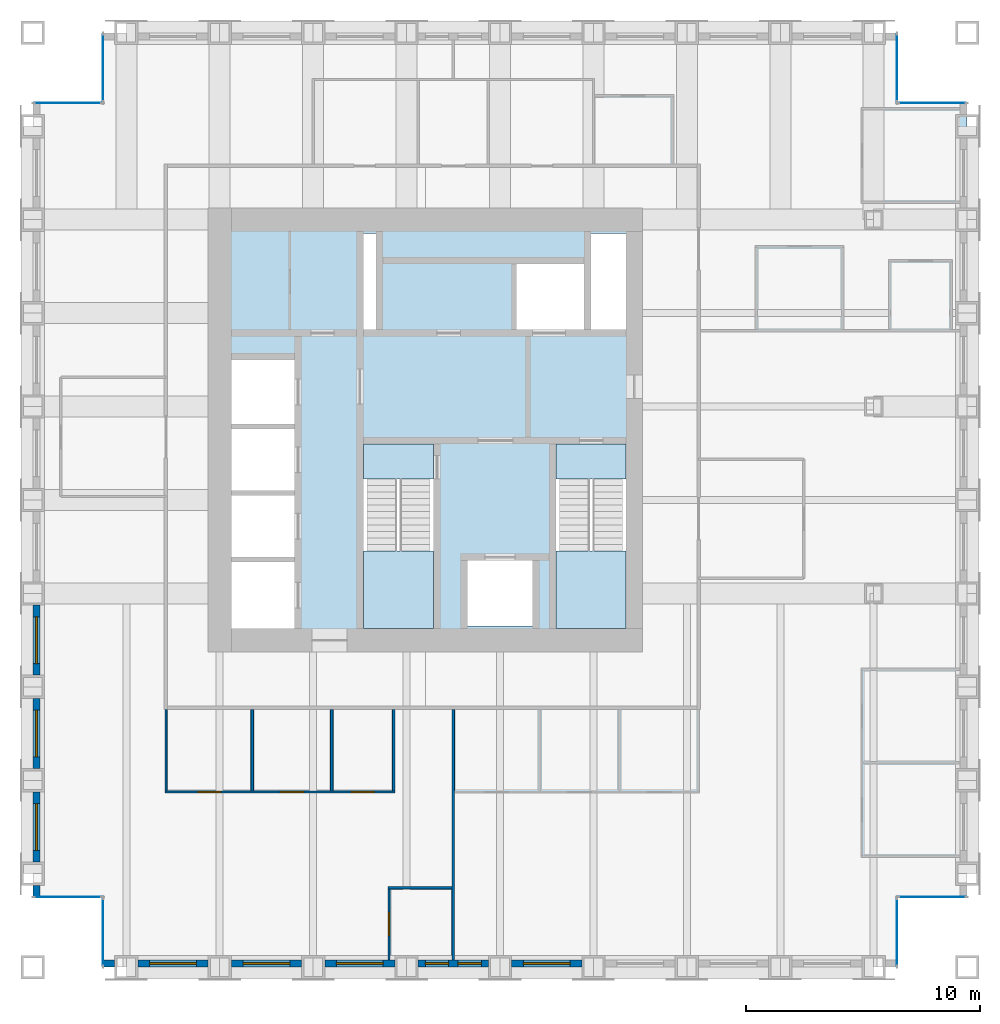
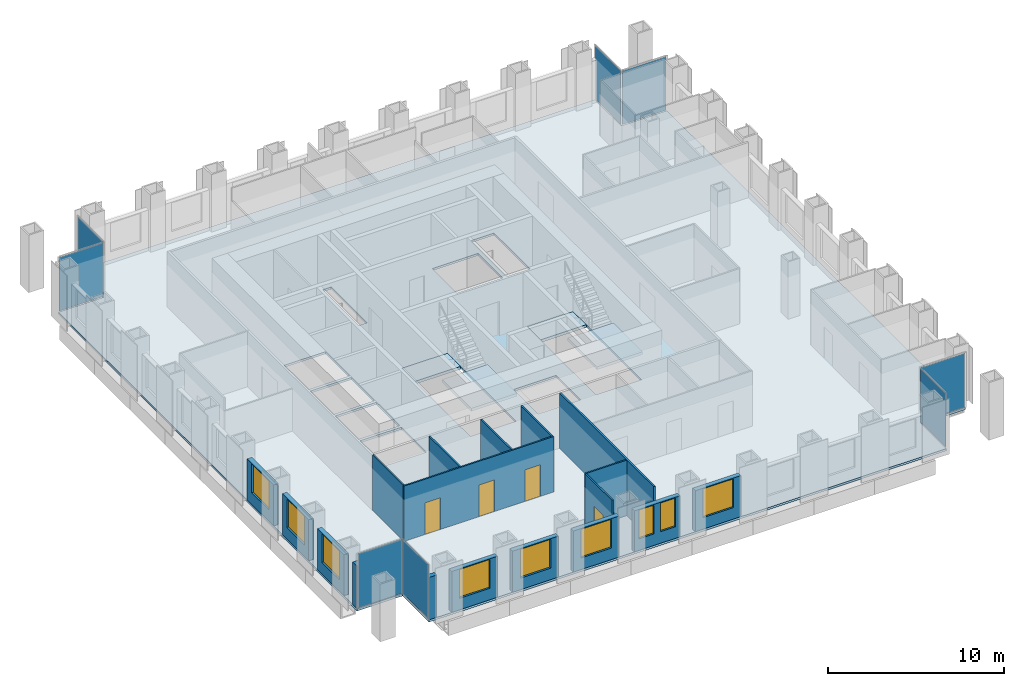
# One storey, part 7 of 13: 18 walls, 9 windows, 8 plates, 5 slabs, 4 doors, 13 openings, 10 elements without a shape of their own.
"""IFC4 building model written with IfcOpenShell, lengths in metres."""

import ifcopenshell
import ifcopenshell.guid

model = None  # the IFC model being written
_history = None  # IfcOwnerHistory: only IFC2X3 demands one
_inside = {}  # id of a spatial element -> (the spatial element, [elements in it])
_under = {}  # id of a project, library or spatial element -> (it, [spatial elements below it])
_declared = {}  # id of a project -> (the project, [libraries it declares])
_typed = {}  # id of a type object -> (the type object, [elements of that type])
_made_of = {}  # id of a material, layer set ... -> (it, [elements and type objects made of it])


def new_model(schema):
    """Start an empty IFC model of exactly this schema.

    Asked for "IFC4X3", IfcOpenShell would pick the latest addendum, in which some entities
    have other attributes; the version numbers below select the first issue.
    IFC2X3 requires an IfcOwnerHistory on every rooted entity: one is made here for all.
    """
    global model, _history
    if schema == "IFC4X3":
        model = ifcopenshell.file(schema_version=(4, 3, 0, 0))
    else:
        model = ifcopenshell.file(schema=schema)
    _inside.clear()
    _under.clear()
    _declared.clear()
    _typed.clear()
    _made_of.clear()
    _history = None
    if model.schema == "IFC2X3":
        org = make("IfcOrganization", Name="unknown")
        user = make(
            "IfcPersonAndOrganization",
            ThePerson=make("IfcPerson", FamilyName="unknown"),
            TheOrganization=org,
        )
        app = make(
            "IfcApplication",
            ApplicationDeveloper=org,
            Version="unknown",
            ApplicationFullName="unknown",
            ApplicationIdentifier="unknown",
        )
        _history = make(
            "IfcOwnerHistory",
            OwningUser=user,
            OwningApplication=app,
            ChangeAction="ADDED",
            CreationDate=0,
        )
    return model


def make(cls, **values):
    """One entity of the class cls with the attributes given. An attribute that is None is left unset."""
    return model.create_entity(
        cls, **{name: value for name, value in values.items() if value is not None}
    )


def rooted(cls, **values):
    """An entity with a GlobalId (a new one), such as an element, a storey or a relation."""
    return make(cls, GlobalId=ifcopenshell.guid.new(), OwnerHistory=_history, **values)


def si_unit(unit_type, name, prefix=None):
    """IfcSIUnit, for example si_unit("LENGTHUNIT", "METRE", prefix="MILLI")."""
    return make("IfcSIUnit", UnitType=unit_type, Prefix=prefix, Name=name)


def assignment(units):
    """IfcUnitAssignment: the units of a project."""
    return None if units is None else make("IfcUnitAssignment", Units=units)


def point(xyz):
    """IfcCartesianPoint."""
    return None if xyz is None else make("IfcCartesianPoint", Coordinates=xyz)


def direction(xyz):
    """IfcDirection."""
    return None if xyz is None else make("IfcDirection", DirectionRatios=xyz)


def frame(location, z_axis=None, x_axis=None):
    """IfcAxis2Placement3D, a coordinate frame: its origin and axes. An axis left out is left unset."""
    return make(
        "IfcAxis2Placement3D",
        Location=point(location),
        Axis=direction(z_axis),
        RefDirection=direction(x_axis),
    )


def frame_2d(location, x_axis=None):
    """IfcAxis2Placement2D, a coordinate frame in the plane: its origin and x axis."""
    return make(
        "IfcAxis2Placement2D", Location=point(location), RefDirection=direction(x_axis)
    )


def origin():
    """The frame at (0, 0, 0) with its axes left unset."""
    return frame((0.0, 0.0, 0.0))


def origin_2d():
    """The frame at (0, 0) in the plane with its x axis left unset."""
    return frame_2d((0.0, 0.0))


def place(relative_to, where):
    """IfcLocalPlacement: puts the frame where relative to a parent placement (None: the world)."""
    return make(
        "IfcLocalPlacement", PlacementRelTo=relative_to, RelativePlacement=where
    )


def context(
    kind, dimensions, precision=None, world=None, true_north=None, identifier=None
):
    """IfcGeometricRepresentationContext, for example the 3D "Model" context."""
    return make(
        "IfcGeometricRepresentationContext",
        ContextIdentifier=identifier,
        ContextType=kind,
        CoordinateSpaceDimension=dimensions,
        Precision=precision,
        WorldCoordinateSystem=world,
        TrueNorth=true_north,
    )


def subcontext(parent, identifier, kind, view, scale=None):
    """IfcGeometricRepresentationSubContext, for example "Body" below "Model"."""
    return make(
        "IfcGeometricRepresentationSubContext",
        ContextIdentifier=identifier,
        ContextType=kind,
        ParentContext=parent,
        TargetScale=scale,
        TargetView=view,
    )


def project(units=None, contexts=None):
    """IfcProject with its units and contexts."""
    return rooted(
        "IfcProject",
        Name="project",
        RepresentationContexts=contexts,
        UnitsInContext=assignment(units),
    )


def spatial(cls, under=None, at=None, **own):
    """A site, building, storey or space (cls), placed at a placement, below another one or the project."""
    s = rooted(cls, ObjectPlacement=at, **own)
    if under is not None:
        _under.setdefault(under.id(), (under, []))[1].append(s)
    return s


def polyline(points):
    """IfcPolyline through the points."""
    return make("IfcPolyline", Points=[point(p) for p in points])


def profile(cls, at=None, kind="AREA", **sizes):
    """A parametric profile (cls). Its sizes go by their IFC names, for example OverallWidth=200.0."""
    return make(cls, ProfileType=kind, Position=at, **sizes)


def rectangle(**sizes):
    """IfcRectangleProfileDef."""
    return profile("IfcRectangleProfileDef", **sizes)


def outline(outer, holes=None, kind="AREA"):
    """IfcArbitraryClosedProfileDef: a profile drawn as a closed curve; with holes, ...WithVoids."""
    if holes is None:
        return make("IfcArbitraryClosedProfileDef", ProfileType=kind, OuterCurve=outer)
    return make(
        "IfcArbitraryProfileDefWithVoids",
        ProfileType=kind,
        OuterCurve=outer,
        InnerCurves=holes,
    )


def extrude(swept, where, along, depth):
    """IfcExtrudedAreaSolid: the profile swept, set in the frame where, extruded along a direction by depth."""
    return make(
        "IfcExtrudedAreaSolid",
        SweptArea=swept,
        Position=where,
        ExtrudedDirection=direction(along),
        Depth=depth,
    )


def shape(context_of_items, identifier, shape_type, items):
    """IfcShapeRepresentation: the items that make up one representation, for example the "Body"."""
    return make(
        "IfcShapeRepresentation",
        ContextOfItems=context_of_items,
        RepresentationIdentifier=identifier,
        RepresentationType=shape_type,
        Items=items,
    )


def material(Name=None, Category=None):
    """IfcMaterial."""
    return make("IfcMaterial", Name=Name, Category=Category)


def layer(
    of_material, thickness, ventilated=None, Name=None, Category=None, Priority=None
):
    """IfcMaterialLayer: one layer of a wall or slab, of a material (None: an air gap)."""
    return make(
        "IfcMaterialLayer",
        Material=of_material,
        LayerThickness=thickness,
        IsVentilated=ventilated,
        Name=Name,
        Category=Category,
        Priority=Priority,
    )


def layer_set(layers, Name=None):
    """IfcMaterialLayerSet."""
    return make("IfcMaterialLayerSet", MaterialLayers=layers, LayerSetName=Name)


def made_of(thing, what):
    """Note that an element or type object is made of a material, layer set ...; save() writes the relation."""
    if what is not None:
        _made_of.setdefault(what.id(), (what, []))[1].append(thing)
    return thing


def type_object(cls, material=None, **own):
    """A type object (cls), such as IfcWallType, which elements share."""
    return made_of(rooted(cls, **own), material)


def element(
    cls,
    number,
    at=None,
    inside=None,
    cuts=None,
    type_object=None,
    material=None,
    context=None,
    identifier="Body",
    shape_type=None,
    held_by="IfcProductDefinitionShape",
    body=None,
    shapes=None,
    **own,
):
    """One element of the class cls, such as IfcWall. Its Tag is "e" and its number.

    at: its placement. inside: the storey or other place that contains it. cuts: it is an
    opening in that element (IfcRelVoidsElement). A single representation is given by context,
    identifier, shape_type and body (its items); several are given by shapes. held_by: the class
    of the entity that holds the representations. save() writes the other relations.
    """
    e = rooted(cls, Tag="e%d" % number, ObjectPlacement=at, **own)
    if body is not None:
        shapes = [shape(context, identifier, shape_type, body)]
    if shapes is not None:
        e.Representation = make(held_by, Representations=shapes)
    if inside is not None:
        _inside.setdefault(inside.id(), (inside, []))[1].append(e)
    if cuts is not None:
        rooted(
            "IfcRelVoidsElement", RelatingBuildingElement=cuts, RelatedOpeningElement=e
        )
    if type_object is not None:
        _typed.setdefault(type_object.id(), (type_object, []))[1].append(e)
    return made_of(e, material)


def fill(opening, filler):
    """IfcRelFillsElement: the door or window that sits in an opening."""
    return rooted(
        "IfcRelFillsElement",
        RelatingOpeningElement=opening,
        RelatedBuildingElement=filler,
    )


def aggregate(whole, parts):
    """IfcRelAggregates: a whole, such as a stair, and the parts it consists of."""
    return rooted("IfcRelAggregates", RelatingObject=whole, RelatedObjects=parts)


def save(model, path):
    """Write the relations noted so far, then the file.

    IfcRelAggregates (storeys below a building ...), IfcRelContainedInSpatialStructure (elements
    in a storey), IfcRelDefinesByType, IfcRelAssociatesMaterial and IfcRelDeclares: one each for
    every whole, place, type object, material and project.
    """
    for whole, parts in _under.values():
        aggregate(whole, parts)
    for where, things in _inside.values():
        rooted(
            "IfcRelContainedInSpatialStructure",
            RelatedElements=things,
            RelatingStructure=where,
        )
    for kind, things in _typed.values():
        rooted("IfcRelDefinesByType", RelatedObjects=things, RelatingType=kind)
    for what, things in _made_of.values():
        rooted("IfcRelAssociatesMaterial", RelatedObjects=things, RelatingMaterial=what)
    for by, libraries in _declared.values():
        rooted("IfcRelDeclares", RelatingContext=by, RelatedDefinitions=libraries)
    model.write(path)


model = new_model("IFC4")

# Units and contexts
model_context = context("Model", 3, precision=1e-05, world=origin(), true_north=direction((0.0, 1.0)))
body_context = subcontext(model_context, "Body", "Model", "MODEL_VIEW")
ifc_project = project(units=[si_unit("LENGTHUNIT", "METRE"), si_unit("AREAUNIT", "SQUARE_METRE"), si_unit("VOLUMEUNIT", "CUBIC_METRE"), si_unit("PLANEANGLEUNIT", "RADIAN"), si_unit("MASSUNIT", "GRAM", prefix="KILO")], contexts=[model_context])

# Site, building, storey
site_placement = place(None, origin())
site = spatial("IfcSite", under=ifc_project, at=site_placement, CompositionType="ELEMENT")
building_placement = place(site_placement, origin())
building = spatial("IfcBuilding", under=site, at=building_placement, Name="Rimbunsela Tower", CompositionType="ELEMENT")
storey_placement = place(building_placement, frame((0.0, 0.0, 254.199951171875)))
storey = spatial("IfcBuildingStorey", under=building, at=storey_placement, Name="L61", CompositionType="ELEMENT", Elevation=254.199951171875)

# Slab
ifc_material_1 = material(Name="Concrete fc' 35 MPa", Category="concrete")
ifc_layer_1 = layer(ifc_material_1, 0.14990234375)
ifc_layer_set_1 = layer_set([ifc_layer_1], Name="Floor slab 150")
slab_type_1 = type_object("IfcSlabType", Name="Floor slab 150", PredefinedType="FLOOR", material=ifc_layer_set_1)
slab_1_placement = place(storey_placement, frame((0.0, 0.0, -0.14990234375)))
element("IfcSlab", 1, at=slab_1_placement, inside=storey, type_object=slab_type_1, Name="Floor slab L61", PredefinedType="FLOOR", context=body_context, shape_type="SweptSolid", body=[
    extrude(outline(polyline([(13.0, 4.0), (47.0, 4.0), (47.0, 7.0), (50.0, 7.0), (50.0, 41.0), (47.0, 41.0), (47.0, 44.0), (13.0, 44.0), (13.0, 41.0), (10.0, 41.0), (10.0, 7.0), (13.0, 7.0), (13.0, 4.0)]), holes=[polyline([(21.199951171875, 21.35009765625), (18.5, 21.35009765625), (18.5, 18.5), (21.199951171875, 18.5), (21.199951171875, 21.35009765625)]), polyline([(21.199951171875, 21.550048828125), (21.199951171875, 24.199951171875), (18.5, 24.199951171875), (18.5, 21.550048828125), (21.199951171875, 21.550048828125)]), polyline([(21.199951171875, 27.050048828125), (18.5, 27.050048828125), (18.5, 24.39990234375), (21.199951171875, 24.39990234375), (21.199951171875, 27.050048828125)]), polyline([(21.199951171875, 30.0), (18.5, 30.0), (18.5, 27.25), (21.199951171875, 27.25), (21.199951171875, 30.0)]), polyline([(27.14990234375, 26.39990234375), (24.14990234375, 26.39990234375), (24.14990234375, 18.60009765625), (27.14990234375, 18.60009765625), (27.14990234375, 26.39990234375)]), polyline([(24.699951171875, 31.300048828125), (24.699951171875, 35.39990234375), (24.14990234375, 35.39990234375), (24.14990234375, 31.300048828125), (24.699951171875, 31.300048828125)]), polyline([(31.39990234375, 21.39990234375), (28.60009765625, 21.39990234375), (28.60009765625, 18.60009765625), (31.39990234375, 18.60009765625), (31.39990234375, 21.39990234375)]), polyline([(33.60009765625, 34.10009765625), (30.60009765625, 34.10009765625), (30.60009765625, 31.300048828125), (33.60009765625, 31.300048828125), (33.60009765625, 34.10009765625)]), polyline([(35.39990234375, 18.60009765625), (35.39990234375, 26.39990234375), (32.39990234375, 26.39990234375), (32.39990234375, 18.60009765625), (35.39990234375, 18.60009765625)]), polyline([(35.39990234375, 31.300048828125), (35.39990234375, 35.39990234375), (33.89990234375, 35.39990234375), (33.89990234375, 31.300048828125), (35.39990234375, 31.300048828125)])]), origin(), (0.0, 0.0, 1.0), 0.14990234375),
])

# Curtain wall, plate
ifc_material_2 = material(Name="Aluminium curtain wall", Category="aluminium")
curtain_wall_type = type_object("IfcCurtainWallType", Name="Corner glazing", PredefinedType="USERDEFINED", material=ifc_material_2)
curtain_wall_1_placement = place(storey_placement, origin())
curtain_wall_1 = element("IfcCurtainWall", 2, at=curtain_wall_1_placement, inside=storey, type_object=curtain_wall_type, Name="Corner glazing L61", ObjectType="CORNER GLAZING", PredefinedType="USERDEFINED")
ifc_material_3 = material(Name="Clear double glazing", Category="glass")
ifc_layer_2 = layer(ifc_material_3, 0.028076171875)
ifc_layer_set_2 = layer_set([ifc_layer_2], Name="Glazed panel clear")
plate_type = type_object("IfcPlateType", Name="Glazed panel clear", PredefinedType="CURTAIN_PANEL", material=ifc_layer_set_2)
plate_1_placement = place(storey_placement, frame((47.0, 5.5, 0.06005859375), z_axis=(0.0, 0.0, 1.0), x_axis=(0.0, 1.0, 0.0)))
plate_1 = element("IfcPlate", 3, at=plate_1_placement, type_object=plate_type, Name="CW5 panel 1.1", PredefinedType="CURTAIN_PANEL", context=body_context, shape_type="SweptSolid", body=[
    extrude(rectangle(XDim=2.8798828125, YDim=0.028076171875, at=origin_2d()), origin(), (0.0, 0.0, 1.0), 3.72998046875),
])
aggregate(curtain_wall_1, [plate_1])

curtain_wall_2_placement = place(storey_placement, origin())
curtain_wall_2 = element("IfcCurtainWall", 4, at=curtain_wall_2_placement, inside=storey, type_object=curtain_wall_type, Name="Corner glazing L61", ObjectType="CORNER GLAZING", PredefinedType="USERDEFINED")
plate_2_placement = place(storey_placement, frame((48.5, 7.0, 0.06005859375), z_axis=(0.0, 0.0, 1.0), x_axis=(1.0, 0.0, 0.0)))
plate_2 = element("IfcPlate", 5, at=plate_2_placement, type_object=plate_type, Name="CW5 panel 1.1", PredefinedType="CURTAIN_PANEL", context=body_context, shape_type="SweptSolid", body=[
    extrude(rectangle(XDim=2.8798828125, YDim=0.028076171875, at=origin_2d()), origin(), (0.0, 0.0, 1.0), 3.72998046875),
])
aggregate(curtain_wall_2, [plate_2])

curtain_wall_3_placement = place(storey_placement, origin())
curtain_wall_3 = element("IfcCurtainWall", 6, at=curtain_wall_3_placement, inside=storey, type_object=curtain_wall_type, Name="Corner glazing L61", ObjectType="CORNER GLAZING", PredefinedType="USERDEFINED")
plate_3_placement = place(storey_placement, frame((48.5, 41.0, 0.06005859375), z_axis=(0.0, 0.0, 1.0), x_axis=(-1.0, 0.0, 0.0)))
plate_3 = element("IfcPlate", 7, at=plate_3_placement, type_object=plate_type, Name="CW5 panel 1.1", PredefinedType="CURTAIN_PANEL", context=body_context, shape_type="SweptSolid", body=[
    extrude(rectangle(XDim=2.8798828125, YDim=0.028076171875, at=origin_2d()), origin(), (0.0, 0.0, 1.0), 3.72998046875),
])
aggregate(curtain_wall_3, [plate_3])

curtain_wall_4_placement = place(storey_placement, origin())
curtain_wall_4 = element("IfcCurtainWall", 8, at=curtain_wall_4_placement, inside=storey, type_object=curtain_wall_type, Name="Corner glazing L61", ObjectType="CORNER GLAZING", PredefinedType="USERDEFINED")
plate_4_placement = place(storey_placement, frame((47.0, 42.5, 0.06005859375), z_axis=(0.0, 0.0, 1.0), x_axis=(0.0, 1.0, 0.0)))
plate_4 = element("IfcPlate", 9, at=plate_4_placement, type_object=plate_type, Name="CW5 panel 1.1", PredefinedType="CURTAIN_PANEL", context=body_context, shape_type="SweptSolid", body=[
    extrude(rectangle(XDim=2.8798828125, YDim=0.028076171875, at=origin_2d()), origin(), (0.0, 0.0, 1.0), 3.72998046875),
])
aggregate(curtain_wall_4, [plate_4])

curtain_wall_5_placement = place(storey_placement, origin())
curtain_wall_5 = element("IfcCurtainWall", 10, at=curtain_wall_5_placement, inside=storey, type_object=curtain_wall_type, Name="Corner glazing L61", ObjectType="CORNER GLAZING", PredefinedType="USERDEFINED")
plate_5_placement = place(storey_placement, frame((13.0, 42.5, 0.06005859375), z_axis=(0.0, 0.0, 1.0), x_axis=(0.0, -1.0, 0.0)))
plate_5 = element("IfcPlate", 11, at=plate_5_placement, type_object=plate_type, Name="CW5 panel 1.1", PredefinedType="CURTAIN_PANEL", context=body_context, shape_type="SweptSolid", body=[
    extrude(rectangle(XDim=2.8798828125, YDim=0.028076171875, at=origin_2d()), origin(), (0.0, 0.0, 1.0), 3.72998046875),
])
aggregate(curtain_wall_5, [plate_5])

curtain_wall_6_placement = place(storey_placement, origin())
curtain_wall_6 = element("IfcCurtainWall", 12, at=curtain_wall_6_placement, inside=storey, type_object=curtain_wall_type, Name="Corner glazing L61", ObjectType="CORNER GLAZING", PredefinedType="USERDEFINED")
plate_6_placement = place(storey_placement, frame((11.5, 41.0, 0.06005859375), z_axis=(0.0, 0.0, 1.0), x_axis=(-1.0, 0.0, 0.0)))
plate_6 = element("IfcPlate", 13, at=plate_6_placement, type_object=plate_type, Name="CW5 panel 1.1", PredefinedType="CURTAIN_PANEL", context=body_context, shape_type="SweptSolid", body=[
    extrude(rectangle(XDim=2.8798828125, YDim=0.028076171875, at=origin_2d()), origin(), (0.0, 0.0, 1.0), 3.72998046875),
])
aggregate(curtain_wall_6, [plate_6])

curtain_wall_7_placement = place(storey_placement, origin())
curtain_wall_7 = element("IfcCurtainWall", 14, at=curtain_wall_7_placement, inside=storey, type_object=curtain_wall_type, Name="Corner glazing L61", ObjectType="CORNER GLAZING", PredefinedType="USERDEFINED")
plate_7_placement = place(storey_placement, frame((11.5, 7.0, 0.06005859375), z_axis=(0.0, 0.0, 1.0), x_axis=(1.0, 0.0, 0.0)))
plate_7 = element("IfcPlate", 15, at=plate_7_placement, type_object=plate_type, Name="CW5 panel 1.1", PredefinedType="CURTAIN_PANEL", context=body_context, shape_type="SweptSolid", body=[
    extrude(rectangle(XDim=2.8798828125, YDim=0.028076171875, at=origin_2d()), origin(), (0.0, 0.0, 1.0), 3.72998046875),
])
aggregate(curtain_wall_7, [plate_7])

curtain_wall_8_placement = place(storey_placement, origin())
curtain_wall_8 = element("IfcCurtainWall", 16, at=curtain_wall_8_placement, inside=storey, type_object=curtain_wall_type, Name="Corner glazing L61", ObjectType="CORNER GLAZING", PredefinedType="USERDEFINED")
plate_8_placement = place(storey_placement, frame((13.0, 5.5, 0.06005859375), z_axis=(0.0, 0.0, 1.0), x_axis=(0.0, -1.0, 0.0)))
plate_8 = element("IfcPlate", 17, at=plate_8_placement, type_object=plate_type, Name="CW5 panel 1.1", PredefinedType="CURTAIN_PANEL", context=body_context, shape_type="SweptSolid", body=[
    extrude(rectangle(XDim=2.8798828125, YDim=0.028076171875, at=origin_2d()), origin(), (0.0, 0.0, 1.0), 3.72998046875),
])
aggregate(curtain_wall_8, [plate_8])

# Stair, slabs
ifc_material_4 = material(Name="Concrete fc' 35 MPa", Category="concrete")
stair_type = type_object("IfcStairType", Name="Exit stair 24 risers", PredefinedType="HALF_TURN_STAIR", material=ifc_material_4)
stair_1_placement = place(storey_placement, origin())
stair_1 = element("IfcStair", 18, at=stair_1_placement, inside=storey, type_object=stair_type, Name="Exit stair A L61", PredefinedType="HALF_TURN_STAIR")
ifc_material_5 = material(Name="Concrete fc' 35 MPa", Category="concrete")
ifc_layer_3 = layer(ifc_material_5, 0.199951171875)
ifc_layer_set_3 = layer_set([ifc_layer_3], Name="Stair landing 200")
slab_type_2 = type_object("IfcSlabType", Name="Stair landing 200", PredefinedType="LANDING", material=ifc_layer_set_3)
slab_2_placement = place(storey_placement, frame((0.0, 0.0, -0.199951171875)))
slab_2 = element("IfcSlab", 19, at=slab_2_placement, type_object=slab_type_2, Name="ST-A landing 1", PredefinedType="LANDING", context=body_context, shape_type="SweptSolid", body=[
    extrude(outline(polyline([(24.14990234375, 24.89990234375), (27.14990234375, 24.89990234375), (27.14990234375, 26.39990234375), (24.14990234375, 26.39990234375), (24.14990234375, 24.89990234375)])), origin(), (0.0, 0.0, 1.0), 0.199951171875),
])
slab_3_placement = place(storey_placement, frame((0.0, 0.0, 1.800048828125)))
slab_3 = element("IfcSlab", 20, at=slab_3_placement, type_object=slab_type_2, Name="ST-A landing 2", PredefinedType="LANDING", context=body_context, shape_type="SweptSolid", body=[
    extrude(outline(polyline([(24.14990234375, 18.5), (27.14990234375, 18.5), (27.14990234375, 21.820068359375), (24.14990234375, 21.820068359375), (24.14990234375, 18.5)])), origin(), (0.0, 0.0, 1.0), 0.199951171875),
])
aggregate(stair_1, [slab_2, slab_3])

stair_2_placement = place(storey_placement, origin())
stair_2 = element("IfcStair", 21, at=stair_2_placement, inside=storey, type_object=stair_type, Name="Exit stair B L61", PredefinedType="HALF_TURN_STAIR")
slab_4_placement = place(storey_placement, frame((0.0, 0.0, -0.199951171875)))
slab_4 = element("IfcSlab", 22, at=slab_4_placement, type_object=slab_type_2, Name="ST-B landing 1", PredefinedType="LANDING", context=body_context, shape_type="SweptSolid", body=[
    extrude(outline(polyline([(32.39990234375, 24.89990234375), (35.39990234375, 24.89990234375), (35.39990234375, 26.39990234375), (32.39990234375, 26.39990234375), (32.39990234375, 24.89990234375)])), origin(), (0.0, 0.0, 1.0), 0.199951171875),
])
slab_5_placement = place(storey_placement, frame((0.0, 0.0, 1.800048828125)))
slab_5 = element("IfcSlab", 23, at=slab_5_placement, type_object=slab_type_2, Name="ST-B landing 2", PredefinedType="LANDING", context=body_context, shape_type="SweptSolid", body=[
    extrude(outline(polyline([(32.39990234375, 18.5), (35.39990234375, 18.5), (35.39990234375, 21.820068359375), (32.39990234375, 21.820068359375), (32.39990234375, 18.5)])), origin(), (0.0, 0.0, 1.0), 0.199951171875),
])
aggregate(stair_2, [slab_4, slab_5])

# Wall
ifc_material_6 = material(Name="Gypsum board on steel studs", Category="steel")
ifc_layer_4 = layer(ifc_material_6, 0.10009765625)
ifc_layer_set_4 = layer_set([ifc_layer_4], Name="Office partition 100")
wall_type_1 = type_object("IfcWallType", Name="Office partition 100", PredefinedType="PARTITIONING", material=ifc_layer_set_4)
wall_1_placement = place(storey_placement, frame((25.199951171875, 7.39990234375, 0.0), z_axis=(0.0, 0.0, 1.0), x_axis=(1.0, 0.0, 0.0)))
element("IfcWall", 24, at=wall_1_placement, inside=storey, type_object=wall_type_1, Name="Office partition", PredefinedType="PARTITIONING", context=body_context, shape_type="SweptSolid", body=[
    extrude(rectangle(XDim=2.739990234375, YDim=0.10009765625, at=frame_2d((1.3701171875, 0.0))), origin(), (0.0, 0.0, 1.0), 3.85009765625),
])

# Wall, openings, doors
wall_2_placement = place(storey_placement, frame((15.64990234375, 11.5, 0.0), z_axis=(0.0, 0.0, 1.0), x_axis=(1.0, 0.0, 0.0)))
wall_2 = element("IfcWall", 25, at=wall_2_placement, inside=storey, type_object=wall_type_1, Name="Office partition", PredefinedType="PARTITIONING", context=body_context, shape_type="SweptSolid", body=[
    extrude(rectangle(XDim=9.85009765625, YDim=0.10009765625, at=frame_2d((4.925048828125, 0.0))), origin(), (0.0, 0.0, 1.0), 3.85009765625),
])
opening_1_placement = place(wall_2_placement, frame((1.39990234375, 0.0, 0.0)))
opening_1 = element("IfcOpeningElement", 26, at=opening_1_placement, cuts=wall_2, Name="Opening D17", PredefinedType="OPENING", context=body_context, shape_type="SweptSolid", body=[
    extrude(rectangle(XDim=1.0, YDim=2.199951171875, at=frame_2d((0.5, 1.10009765625))), frame((0.0, 0.06005859375, 0.0), z_axis=(0.0, -1.0, 0.0), x_axis=(1.0, 0.0, 0.0)), (0.0, 0.0, 1.0), 0.1201171875),
])
opening_2_placement = place(wall_2_placement, frame((4.949951171875, 0.0, 0.0)))
opening_2 = element("IfcOpeningElement", 27, at=opening_2_placement, cuts=wall_2, Name="Opening D16", PredefinedType="OPENING", context=body_context, shape_type="SweptSolid", body=[
    extrude(rectangle(XDim=1.0, YDim=2.199951171875, at=frame_2d((0.5, 1.10009765625))), frame((0.0, 0.06005859375, 0.0), z_axis=(0.0, -1.0, 0.0), x_axis=(1.0, 0.0, 0.0)), (0.0, 0.0, 1.0), 0.1201171875),
])
opening_3_placement = place(wall_2_placement, frame((7.97509765625, 0.0, 0.0)))
opening_3 = element("IfcOpeningElement", 28, at=opening_3_placement, cuts=wall_2, Name="Opening D16", PredefinedType="OPENING", context=body_context, shape_type="SweptSolid", body=[
    extrude(rectangle(XDim=1.0, YDim=2.199951171875, at=frame_2d((0.5, 1.10009765625))), frame((0.0, 0.06005859375, 0.0), z_axis=(0.0, -1.0, 0.0), x_axis=(1.0, 0.0, 0.0)), (0.0, 0.0, 1.0), 0.1201171875),
])
ifc_material_7 = material(Name="Glazed aluminium door", Category="aluminium")
door_type_1 = type_object("IfcDoorType", Name="Meeting room door 1000 glazed", OperationType="SINGLE_SWING_RIGHT", PredefinedType="DOOR", material=ifc_material_7)
door_1_placement = place(opening_1_placement, origin())
door_1 = element("IfcDoor", 29, at=door_1_placement, inside=storey, type_object=door_type_1, Name="Meeting room door", OperationType="SINGLE_SWING_RIGHT", OverallHeight=2.199951171875, OverallWidth=1.0, PredefinedType="DOOR", context=body_context, shape_type="SweptSolid", body=[
    extrude(rectangle(XDim=1.0, YDim=2.199951171875, at=frame_2d((0.5, 1.10009765625))), frame((0.0, 0.02490234375, 0.0), z_axis=(0.0, -1.0, 0.0), x_axis=(1.0, 0.0, 0.0)), (0.0, 0.0, 1.0), 0.050048828125),
])
fill(opening_1, door_1)
ifc_material_8 = material(Name="Timber door", Category="wood")
door_type_2 = type_object("IfcDoorType", Name="Office door 1000", OperationType="SINGLE_SWING_LEFT", PredefinedType="DOOR", material=ifc_material_8)
door_2_placement = place(opening_2_placement, origin())
door_2 = element("IfcDoor", 30, at=door_2_placement, inside=storey, type_object=door_type_2, Name="Office door", OperationType="SINGLE_SWING_LEFT", OverallHeight=2.199951171875, OverallWidth=1.0, PredefinedType="DOOR", context=body_context, shape_type="SweptSolid", body=[
    extrude(rectangle(XDim=1.0, YDim=2.199951171875, at=frame_2d((0.5, 1.10009765625))), frame((0.0, 0.02490234375, 0.0), z_axis=(0.0, -1.0, 0.0), x_axis=(1.0, 0.0, 0.0)), (0.0, 0.0, 1.0), 0.050048828125),
])
fill(opening_2, door_2)
door_3_placement = place(opening_3_placement, origin())
door_3 = element("IfcDoor", 31, at=door_3_placement, inside=storey, type_object=door_type_2, Name="Office door", OperationType="SINGLE_SWING_LEFT", OverallHeight=2.199951171875, OverallWidth=1.0, PredefinedType="DOOR", context=body_context, shape_type="SweptSolid", body=[
    extrude(rectangle(XDim=1.0, YDim=2.199951171875, at=frame_2d((0.5, 1.10009765625))), frame((0.0, 0.02490234375, 0.0), z_axis=(0.0, -1.0, 0.0), x_axis=(1.0, 0.0, 0.0)), (0.0, 0.0, 1.0), 0.050048828125),
])
fill(opening_3, door_3)

# Walls
for number, where, z_axis, x_axis, name in (
    (32, (15.699951171875, 11.550048828125, 0.0), (0.0, 0.0, 1.0), (0.0, 1.0, 0.0), "Office partition"),
    (33, (19.39990234375, 11.550048828125, 0.0), (0.0, 0.0, 1.0), (0.0, 1.0, 0.0), "Office partition"),
    (34, (22.800048828125, 11.550048828125, 0.0), (0.0, 0.0, 1.0), (0.0, 1.0, 0.0), "Office partition"),
):
    element("IfcWall", number, at=place(storey_placement, frame(where, z_axis=z_axis, x_axis=x_axis)), inside=storey, type_object=wall_type_1, Name=name, PredefinedType="PARTITIONING", context=body_context, shape_type="SweptSolid", body=[
        extrude(rectangle(XDim=3.474853515625, YDim=0.10009765625, at=frame_2d((1.7373046875, 0.0))), origin(), (0.0, 0.0, 1.0), 3.85009765625),
    ])

# Wall, opening, door
wall_3_placement = place(storey_placement, frame((25.25, 4.300048828125, 0.0), z_axis=(0.0, 0.0, 1.0), x_axis=(0.0, 1.0, 0.0)))
wall_3 = element("IfcWall", 35, at=wall_3_placement, inside=storey, type_object=wall_type_1, Name="Office partition", PredefinedType="PARTITIONING", context=body_context, shape_type="SweptSolid", body=[
    extrude(rectangle(XDim=3.050048828125, YDim=0.10009765625, at=frame_2d((1.52490234375, 0.0))), origin(), (0.0, 0.0, 1.0), 3.85009765625),
])
opening_4_placement = place(wall_3_placement, frame((1.050048828125, 0.0, 0.0)))
opening_4 = element("IfcOpeningElement", 36, at=opening_4_placement, cuts=wall_3, Name="Opening D16", PredefinedType="OPENING", context=body_context, shape_type="SweptSolid", body=[
    extrude(rectangle(XDim=1.0, YDim=2.199951171875, at=frame_2d((0.5, 1.10009765625))), frame((0.0, 0.06005859375, 0.0), z_axis=(0.0, -1.0, 0.0), x_axis=(1.0, 0.0, 0.0)), (0.0, 0.0, 1.0), 0.1201171875),
])
door_4_placement = place(opening_4_placement, origin())
door_4 = element("IfcDoor", 37, at=door_4_placement, inside=storey, type_object=door_type_2, Name="Office door", OperationType="SINGLE_SWING_LEFT", OverallHeight=2.199951171875, OverallWidth=1.0, PredefinedType="DOOR", context=body_context, shape_type="SweptSolid", body=[
    extrude(rectangle(XDim=1.0, YDim=2.199951171875, at=frame_2d((0.5, 1.10009765625))), frame((0.0, 0.02490234375, 0.0), z_axis=(0.0, -1.0, 0.0), x_axis=(1.0, 0.0, 0.0)), (0.0, 0.0, 1.0), 0.050048828125),
])
fill(opening_4, door_4)

# Walls
wall_4_placement = place(storey_placement, frame((25.449951171875, 11.550048828125, 0.0), z_axis=(0.0, 0.0, 1.0), x_axis=(0.0, 1.0, 0.0)))
element("IfcWall", 38, at=wall_4_placement, inside=storey, type_object=wall_type_1, Name="Office partition", PredefinedType="PARTITIONING", context=body_context, shape_type="SweptSolid", body=[
    extrude(rectangle(XDim=3.474853515625, YDim=0.10009765625, at=frame_2d((1.7373046875, 0.0))), origin(), (0.0, 0.0, 1.0), 3.85009765625),
])
ifc_material_9 = material(Name="Precast concrete fc' 35 MPa", Category="concrete")
ifc_layer_5 = layer(ifc_material_9, 0.300048828125)
ifc_layer_set_5 = layer_set([ifc_layer_5], Name="Precast concrete fc' 35 MPa")
wall_type_2 = type_object("IfcWallType", Name="Precast facade panel 300", PredefinedType="ELEMENTEDWALL", material=ifc_layer_set_5)
wall_5_placement = place(storey_placement, frame((13.030029296875, 4.14990234375, 0.0), z_axis=(0.0, 0.0, 1.0), x_axis=(1.0, 0.0, 0.0)))
element("IfcWall", 39, at=wall_5_placement, inside=storey, type_object=wall_type_2, Name="Facade panel S L61", PredefinedType="ELEMENTEDWALL", context=body_context, shape_type="SweptSolid", body=[
    extrude(rectangle(XDim=0.469970703125, YDim=0.300048828125, at=frame_2d((0.23486328125, 0.0))), origin(), (0.0, 0.0, 1.0), 2.949951171875),
])

# Wall, opening, window
wall_6_placement = place(storey_placement, frame((14.5, 4.14990234375, 0.0), z_axis=(0.0, 0.0, 1.0), x_axis=(1.0, 0.0, 0.0)))
wall_6 = element("IfcWall", 40, at=wall_6_placement, inside=storey, type_object=wall_type_2, Name="Facade panel S L61", PredefinedType="ELEMENTEDWALL", context=body_context, shape_type="SweptSolid", body=[
    extrude(rectangle(XDim=3.0, YDim=0.300048828125, at=frame_2d((1.5, 0.0))), origin(), (0.0, 0.0, 1.0), 2.85009765625),
])
opening_5_placement = place(wall_6_placement, frame((0.5, 0.0, 0.800048828125)))
opening_5 = element("IfcOpeningElement", 41, at=opening_5_placement, cuts=wall_6, Name="Opening W1", PredefinedType="OPENING", context=body_context, shape_type="SweptSolid", body=[
    extrude(rectangle(XDim=2.0, YDim=2.0, at=frame_2d((1.0, 1.0))), frame((0.0, 0.159912109375, 0.0), z_axis=(0.0, -1.0, 0.0), x_axis=(1.0, 0.0, 0.0)), (0.0, 0.0, 1.0), 0.320068359375),
])
ifc_material_10 = material(Name="Clear glass in aluminium frame", Category="aluminium")
window_type_1 = type_object("IfcWindowType", Name="Window W1 2000x2000", PartitioningType="DOUBLE_PANEL_VERTICAL", PredefinedType="WINDOW", material=ifc_material_10)
window_1_placement = place(opening_5_placement, origin())
window_1 = element("IfcWindow", 42, at=window_1_placement, inside=storey, type_object=window_type_1, Name="Window L61", OverallHeight=2.0, OverallWidth=2.0, PartitioningType="SINGLE_PANEL", PredefinedType="WINDOW", context=body_context, shape_type="SweptSolid", body=[
    extrude(rectangle(XDim=2.0, YDim=2.0, at=frame_2d((1.0, 1.0))), frame((0.0, 0.030029296875, 0.0), z_axis=(0.0, -1.0, 0.0), x_axis=(1.0, 0.0, 0.0)), (0.0, 0.0, 1.0), 0.06005859375),
])
fill(opening_5, window_1)

wall_7_placement = place(storey_placement, frame((18.5, 4.14990234375, 0.0), z_axis=(0.0, 0.0, 1.0), x_axis=(1.0, 0.0, 0.0)))
wall_7 = element("IfcWall", 43, at=wall_7_placement, inside=storey, type_object=wall_type_2, Name="Facade panel S L61", PredefinedType="ELEMENTEDWALL", context=body_context, shape_type="SweptSolid", body=[
    extrude(rectangle(XDim=3.0, YDim=0.300048828125, at=frame_2d((1.5, 0.0))), origin(), (0.0, 0.0, 1.0), 2.85009765625),
])
opening_6_placement = place(wall_7_placement, frame((0.5, 0.0, 0.800048828125)))
opening_6 = element("IfcOpeningElement", 44, at=opening_6_placement, cuts=wall_7, Name="Opening W1", PredefinedType="OPENING", context=body_context, shape_type="SweptSolid", body=[
    extrude(rectangle(XDim=2.0, YDim=2.0, at=frame_2d((1.0, 1.0))), frame((0.0, 0.159912109375, 0.0), z_axis=(0.0, -1.0, 0.0), x_axis=(1.0, 0.0, 0.0)), (0.0, 0.0, 1.0), 0.320068359375),
])
window_2_placement = place(opening_6_placement, origin())
window_2 = element("IfcWindow", 45, at=window_2_placement, inside=storey, type_object=window_type_1, Name="Window L61", OverallHeight=2.0, OverallWidth=2.0, PartitioningType="SINGLE_PANEL", PredefinedType="WINDOW", context=body_context, shape_type="SweptSolid", body=[
    extrude(rectangle(XDim=2.0, YDim=2.0, at=frame_2d((1.0, 1.0))), frame((0.0, 0.030029296875, 0.0), z_axis=(0.0, -1.0, 0.0), x_axis=(1.0, 0.0, 0.0)), (0.0, 0.0, 1.0), 0.06005859375),
])
fill(opening_6, window_2)

wall_8_placement = place(storey_placement, frame((22.5, 4.14990234375, 0.0), z_axis=(0.0, 0.0, 1.0), x_axis=(1.0, 0.0, 0.0)))
wall_8 = element("IfcWall", 46, at=wall_8_placement, inside=storey, type_object=wall_type_2, Name="Facade panel S L61", PredefinedType="ELEMENTEDWALL", context=body_context, shape_type="SweptSolid", body=[
    extrude(rectangle(XDim=3.0, YDim=0.300048828125, at=frame_2d((1.5, 0.0))), origin(), (0.0, 0.0, 1.0), 2.85009765625),
])
opening_7_placement = place(wall_8_placement, frame((0.5, 0.0, 0.800048828125)))
opening_7 = element("IfcOpeningElement", 47, at=opening_7_placement, cuts=wall_8, Name="Opening W1", PredefinedType="OPENING", context=body_context, shape_type="SweptSolid", body=[
    extrude(rectangle(XDim=2.0, YDim=2.0, at=frame_2d((1.0, 1.0))), frame((0.0, 0.159912109375, 0.0), z_axis=(0.0, -1.0, 0.0), x_axis=(1.0, 0.0, 0.0)), (0.0, 0.0, 1.0), 0.320068359375),
])
window_3_placement = place(opening_7_placement, origin())
window_3 = element("IfcWindow", 48, at=window_3_placement, inside=storey, type_object=window_type_1, Name="Window L61", OverallHeight=2.0, OverallWidth=2.0, PartitioningType="SINGLE_PANEL", PredefinedType="WINDOW", context=body_context, shape_type="SweptSolid", body=[
    extrude(rectangle(XDim=2.0, YDim=2.0, at=frame_2d((1.0, 1.0))), frame((0.0, 0.030029296875, 0.0), z_axis=(0.0, -1.0, 0.0), x_axis=(1.0, 0.0, 0.0)), (0.0, 0.0, 1.0), 0.06005859375),
])
fill(opening_7, window_3)

# Wall, openings, windows
wall_9_placement = place(storey_placement, frame((26.5, 4.14990234375, 0.0), z_axis=(0.0, 0.0, 1.0), x_axis=(1.0, 0.0, 0.0)))
wall_9 = element("IfcWall", 49, at=wall_9_placement, inside=storey, type_object=wall_type_2, Name="Facade panel S L61", PredefinedType="ELEMENTEDWALL", context=body_context, shape_type="SweptSolid", body=[
    extrude(rectangle(XDim=3.0, YDim=0.300048828125, at=frame_2d((1.5, 0.0))), origin(), (0.0, 0.0, 1.0), 2.85009765625),
])
opening_8_placement = place(wall_9_placement, frame((0.300048828125, 0.0, 0.800048828125)))
opening_8 = element("IfcOpeningElement", 50, at=opening_8_placement, cuts=wall_9, Name="Opening W5", PredefinedType="OPENING", context=body_context, shape_type="SweptSolid", body=[
    extrude(rectangle(XDim=1.0, YDim=2.0, at=frame_2d((0.5, 1.0))), frame((0.0, 0.159912109375, 0.0), z_axis=(0.0, -1.0, 0.0), x_axis=(1.0, 0.0, 0.0)), (0.0, 0.0, 1.0), 0.320068359375),
])
opening_9_placement = place(wall_9_placement, frame((1.699951171875, 0.0, 0.800048828125)))
opening_9 = element("IfcOpeningElement", 51, at=opening_9_placement, cuts=wall_9, Name="Opening W5", PredefinedType="OPENING", context=body_context, shape_type="SweptSolid", body=[
    extrude(rectangle(XDim=1.0, YDim=2.0, at=frame_2d((0.5, 1.0))), frame((0.0, 0.159912109375, 0.0), z_axis=(0.0, -1.0, 0.0), x_axis=(1.0, 0.0, 0.0)), (0.0, 0.0, 1.0), 0.320068359375),
])
ifc_material_11 = material(Name="Clear glass in aluminium frame", Category="aluminium")
window_type_2 = type_object("IfcWindowType", Name="Window W5 1000x2000", PartitioningType="SINGLE_PANEL", PredefinedType="WINDOW", material=ifc_material_11)
window_4_placement = place(opening_8_placement, origin())
window_4 = element("IfcWindow", 52, at=window_4_placement, inside=storey, type_object=window_type_2, Name="Window L61", OverallHeight=2.0, OverallWidth=1.0, PartitioningType="SINGLE_PANEL", PredefinedType="WINDOW", context=body_context, shape_type="SweptSolid", body=[
    extrude(rectangle(XDim=1.0, YDim=2.0, at=frame_2d((0.5, 1.0))), frame((0.0, 0.030029296875, 0.0), z_axis=(0.0, -1.0, 0.0), x_axis=(1.0, 0.0, 0.0)), (0.0, 0.0, 1.0), 0.06005859375),
])
fill(opening_8, window_4)
window_5_placement = place(opening_9_placement, origin())
window_5 = element("IfcWindow", 53, at=window_5_placement, inside=storey, type_object=window_type_2, Name="Window L61", OverallHeight=2.0, OverallWidth=1.0, PartitioningType="SINGLE_PANEL", PredefinedType="WINDOW", context=body_context, shape_type="SweptSolid", body=[
    extrude(rectangle(XDim=1.0, YDim=2.0, at=frame_2d((0.5, 1.0))), frame((0.0, 0.030029296875, 0.0), z_axis=(0.0, -1.0, 0.0), x_axis=(1.0, 0.0, 0.0)), (0.0, 0.0, 1.0), 0.06005859375),
])
fill(opening_9, window_5)

# Wall, opening, window
wall_10_placement = place(storey_placement, frame((30.5, 4.14990234375, 0.0), z_axis=(0.0, 0.0, 1.0), x_axis=(1.0, 0.0, 0.0)))
wall_10 = element("IfcWall", 54, at=wall_10_placement, inside=storey, type_object=wall_type_2, Name="Facade panel S L61", PredefinedType="ELEMENTEDWALL", context=body_context, shape_type="SweptSolid", body=[
    extrude(rectangle(XDim=3.0, YDim=0.300048828125, at=frame_2d((1.5, 0.0))), origin(), (0.0, 0.0, 1.0), 2.85009765625),
])
opening_10_placement = place(wall_10_placement, frame((0.5, 0.0, 0.800048828125)))
opening_10 = element("IfcOpeningElement", 55, at=opening_10_placement, cuts=wall_10, Name="Opening W1", PredefinedType="OPENING", context=body_context, shape_type="SweptSolid", body=[
    extrude(rectangle(XDim=2.0, YDim=2.0, at=frame_2d((1.0, 1.0))), frame((0.0, 0.159912109375, 0.0), z_axis=(0.0, -1.0, 0.0), x_axis=(1.0, 0.0, 0.0)), (0.0, 0.0, 1.0), 0.320068359375),
])
window_6_placement = place(opening_10_placement, origin())
window_6 = element("IfcWindow", 56, at=window_6_placement, inside=storey, type_object=window_type_1, Name="Window L61", OverallHeight=2.0, OverallWidth=2.0, PartitioningType="SINGLE_PANEL", PredefinedType="WINDOW", context=body_context, shape_type="SweptSolid", body=[
    extrude(rectangle(XDim=2.0, YDim=2.0, at=frame_2d((1.0, 1.0))), frame((0.0, 0.030029296875, 0.0), z_axis=(0.0, -1.0, 0.0), x_axis=(1.0, 0.0, 0.0)), (0.0, 0.0, 1.0), 0.06005859375),
])
fill(opening_10, window_6)

# Wall
wall_11_placement = place(storey_placement, frame((10.14990234375, 7.5, 0.0), z_axis=(0.0, 0.0, 1.0), x_axis=(0.0, -1.0, 0.0)))
element("IfcWall", 57, at=wall_11_placement, inside=storey, type_object=wall_type_2, Name="Facade panel W L61", PredefinedType="ELEMENTEDWALL", context=body_context, shape_type="SweptSolid", body=[
    extrude(rectangle(XDim=0.469970703125, YDim=0.300048828125, at=frame_2d((0.23486328125, 0.0))), origin(), (0.0, 0.0, 1.0), 2.949951171875),
])

# Wall, opening, window
wall_12_placement = place(storey_placement, frame((10.14990234375, 11.5, 0.0), z_axis=(0.0, 0.0, 1.0), x_axis=(0.0, -1.0, 0.0)))
wall_12 = element("IfcWall", 58, at=wall_12_placement, inside=storey, type_object=wall_type_2, Name="Facade panel W L61", PredefinedType="ELEMENTEDWALL", context=body_context, shape_type="SweptSolid", body=[
    extrude(rectangle(XDim=3.0, YDim=0.300048828125, at=frame_2d((1.5, 0.0))), origin(), (0.0, 0.0, 1.0), 2.85009765625),
])
opening_11_placement = place(wall_12_placement, frame((0.5, 0.0, 0.800048828125)))
opening_11 = element("IfcOpeningElement", 59, at=opening_11_placement, cuts=wall_12, Name="Opening W1", PredefinedType="OPENING", context=body_context, shape_type="SweptSolid", body=[
    extrude(rectangle(XDim=2.0, YDim=2.0, at=frame_2d((1.0, 1.0))), frame((0.0, 0.159912109375, 0.0), z_axis=(0.0, -1.0, 0.0), x_axis=(1.0, 0.0, 0.0)), (0.0, 0.0, 1.0), 0.320068359375),
])
window_7_placement = place(opening_11_placement, origin())
window_7 = element("IfcWindow", 60, at=window_7_placement, inside=storey, type_object=window_type_1, Name="Window L61", OverallHeight=2.0, OverallWidth=2.0, PartitioningType="SINGLE_PANEL", PredefinedType="WINDOW", context=body_context, shape_type="SweptSolid", body=[
    extrude(rectangle(XDim=2.0, YDim=2.0, at=frame_2d((1.0, 1.0))), frame((0.0, 0.030029296875, 0.0), z_axis=(0.0, -1.0, 0.0), x_axis=(1.0, 0.0, 0.0)), (0.0, 0.0, 1.0), 0.06005859375),
])
fill(opening_11, window_7)

wall_13_placement = place(storey_placement, frame((10.14990234375, 15.5, 0.0), z_axis=(0.0, 0.0, 1.0), x_axis=(0.0, -1.0, 0.0)))
wall_13 = element("IfcWall", 61, at=wall_13_placement, inside=storey, type_object=wall_type_2, Name="Facade panel W L61", PredefinedType="ELEMENTEDWALL", context=body_context, shape_type="SweptSolid", body=[
    extrude(rectangle(XDim=3.0, YDim=0.300048828125, at=frame_2d((1.5, 0.0))), origin(), (0.0, 0.0, 1.0), 2.85009765625),
])
opening_12_placement = place(wall_13_placement, frame((0.5, 0.0, 0.800048828125)))
opening_12 = element("IfcOpeningElement", 62, at=opening_12_placement, cuts=wall_13, Name="Opening W1", PredefinedType="OPENING", context=body_context, shape_type="SweptSolid", body=[
    extrude(rectangle(XDim=2.0, YDim=2.0, at=frame_2d((1.0, 1.0))), frame((0.0, 0.159912109375, 0.0), z_axis=(0.0, -1.0, 0.0), x_axis=(1.0, 0.0, 0.0)), (0.0, 0.0, 1.0), 0.320068359375),
])
window_8_placement = place(opening_12_placement, origin())
window_8 = element("IfcWindow", 63, at=window_8_placement, inside=storey, type_object=window_type_1, Name="Window L61", OverallHeight=2.0, OverallWidth=2.0, PartitioningType="SINGLE_PANEL", PredefinedType="WINDOW", context=body_context, shape_type="SweptSolid", body=[
    extrude(rectangle(XDim=2.0, YDim=2.0, at=frame_2d((1.0, 1.0))), frame((0.0, 0.030029296875, 0.0), z_axis=(0.0, -1.0, 0.0), x_axis=(1.0, 0.0, 0.0)), (0.0, 0.0, 1.0), 0.06005859375),
])
fill(opening_12, window_8)

wall_14_placement = place(storey_placement, frame((10.14990234375, 19.5, 0.0), z_axis=(0.0, 0.0, 1.0), x_axis=(0.0, -1.0, 0.0)))
wall_14 = element("IfcWall", 64, at=wall_14_placement, inside=storey, type_object=wall_type_2, Name="Facade panel W L61", PredefinedType="ELEMENTEDWALL", context=body_context, shape_type="SweptSolid", body=[
    extrude(rectangle(XDim=3.0, YDim=0.300048828125, at=frame_2d((1.5, 0.0))), origin(), (0.0, 0.0, 1.0), 2.85009765625),
])
opening_13_placement = place(wall_14_placement, frame((0.5, 0.0, 0.800048828125)))
opening_13 = element("IfcOpeningElement", 65, at=opening_13_placement, cuts=wall_14, Name="Opening W1", PredefinedType="OPENING", context=body_context, shape_type="SweptSolid", body=[
    extrude(rectangle(XDim=2.0, YDim=2.0, at=frame_2d((1.0, 1.0))), frame((0.0, 0.159912109375, 0.0), z_axis=(0.0, -1.0, 0.0), x_axis=(1.0, 0.0, 0.0)), (0.0, 0.0, 1.0), 0.320068359375),
])
window_9_placement = place(opening_13_placement, origin())
window_9 = element("IfcWindow", 66, at=window_9_placement, inside=storey, type_object=window_type_1, Name="Window L61", OverallHeight=2.0, OverallWidth=2.0, PartitioningType="SINGLE_PANEL", PredefinedType="WINDOW", context=body_context, shape_type="SweptSolid", body=[
    extrude(rectangle(XDim=2.0, YDim=2.0, at=frame_2d((1.0, 1.0))), frame((0.0, 0.030029296875, 0.0), z_axis=(0.0, -1.0, 0.0), x_axis=(1.0, 0.0, 0.0)), (0.0, 0.0, 1.0), 0.06005859375),
])
fill(opening_13, window_9)

# Wall
ifc_material_12 = material(Name="Gypsum board on steel studs", Category="steel")
ifc_layer_6 = layer(ifc_material_12, 0.1201171875)
ifc_layer_set_6 = layer_set([ifc_layer_6], Name="Tenancy partition 120")
wall_type_3 = type_object("IfcWallType", Name="Tenancy partition 120", PredefinedType="PARTITIONING", material=ifc_layer_set_6)
wall_15_placement = place(storey_placement, frame((28.0, 4.300048828125, 0.0), z_axis=(0.0, 0.0, 1.0), x_axis=(0.0, 1.0, 0.0)))
element("IfcWall", 67, at=wall_15_placement, inside=storey, type_object=wall_type_3, Name="Tenancy partition south", PredefinedType="PARTITIONING", context=body_context, shape_type="SweptSolid", body=[
    extrude(rectangle(XDim=10.724853515625, YDim=0.1201171875, at=frame_2d((5.3623046875, 0.0))), origin(), (0.0, 0.0, 1.0), 3.85009765625),
])

save(model, "model.ifc")
